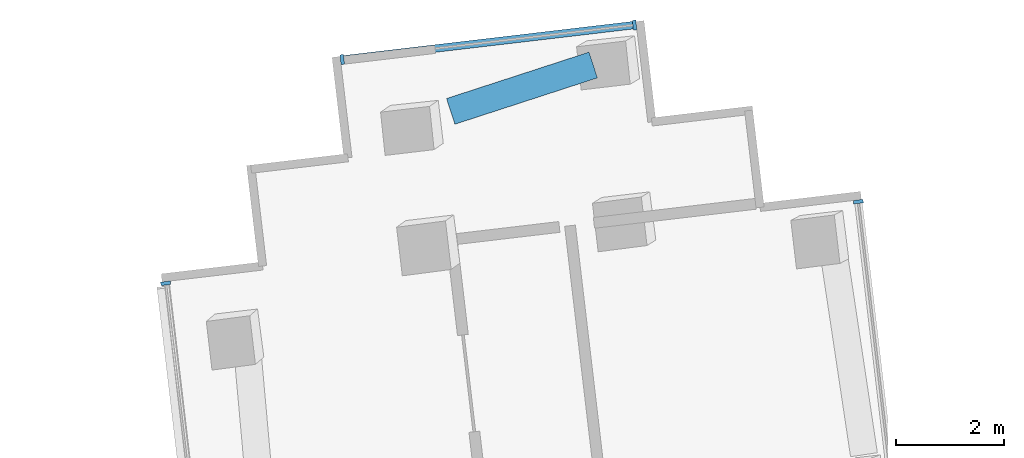
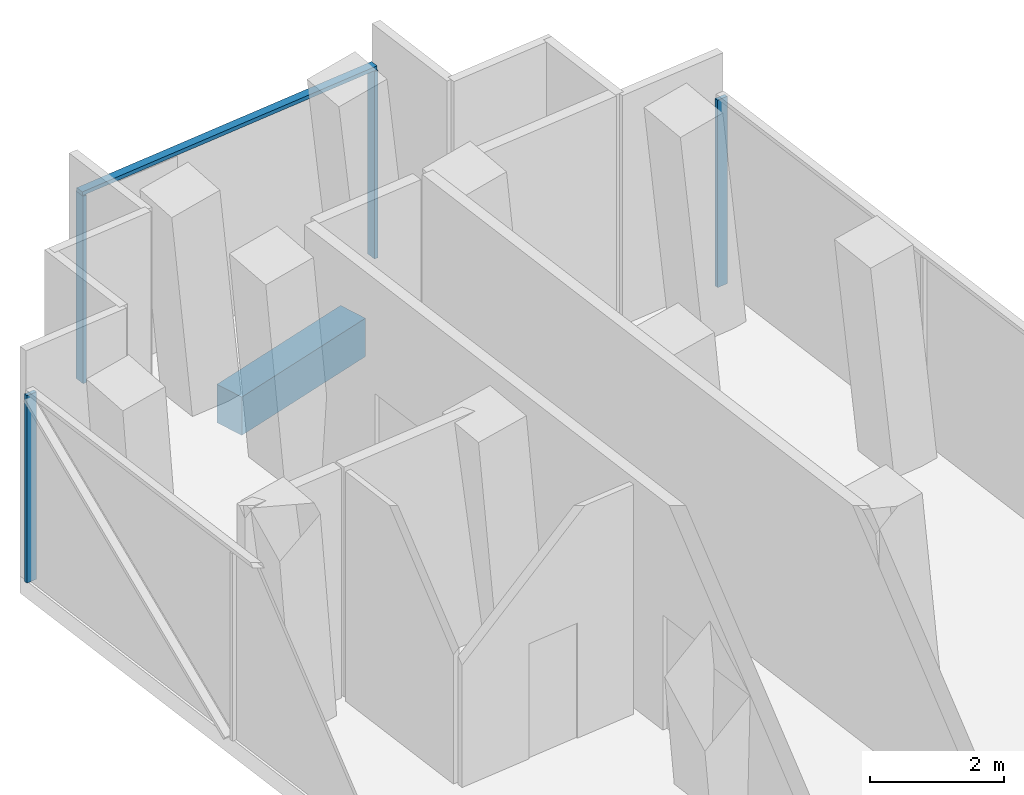
# One storey, part 9 of 17: 5 members, 1 beam, 3 elements without a shape of their own.
"""IFC4 building model written with IfcOpenShell, lengths in metres."""

from ifc_helpers import new_model, si_unit, direction, frame, origin, origin_2d, place, context, subcontext, project, spatial, rectangle, extrude, material, layer, layer_set, material_profile, profile_set, type_object, element, aggregate, save


model = new_model("IFC4")

# Units and contexts
model_context = context("Model", 3, precision=1e-05, world=origin(), true_north=direction((0.0, 1.0)))
body_context = subcontext(model_context, "Body", "Model", "MODEL_VIEW")
ifc_project = project(units=[si_unit("LENGTHUNIT", "METRE"), si_unit("AREAUNIT", "SQUARE_METRE"), si_unit("VOLUMEUNIT", "CUBIC_METRE"), si_unit("PLANEANGLEUNIT", "RADIAN"), si_unit("MASSUNIT", "GRAM", prefix="KILO")], contexts=[model_context])

# Site, building, storey
site_placement = place(None, origin())
site = spatial("IfcSite", under=ifc_project, at=site_placement, CompositionType="ELEMENT")
building_placement = place(site_placement, origin())
building = spatial("IfcBuilding", under=site, at=building_placement, Name="Verdalira Terraces Hotel", CompositionType="ELEMENT")
storey_placement = place(building_placement, frame((0.0, 0.0, 60.0)))
storey = spatial("IfcBuildingStorey", under=building, at=storey_placement, Name="L13", CompositionType="ELEMENT", Elevation=60.0)

# Curtain wall, member
ifc_material_1 = material(Name="Clear glass", Category="glass")
ifc_layer = layer(ifc_material_1, 0.179931640625)
ifc_layer_set = layer_set([ifc_layer], Name="CW4 curtain wall")
curtain_wall_type = type_object("IfcCurtainWallType", Name="CW4 curtain wall", PredefinedType="NOTDEFINED", material=ifc_layer_set)
curtain_wall_1_placement = place(storey_placement, origin())
curtain_wall_1 = element("IfcCurtainWall", 1, at=curtain_wall_1_placement, inside=storey, type_object=curtain_wall_type, Name="CW4 curtain wall L13 edge 0", PredefinedType="NOTDEFINED")
ifc_material_2 = material(Name="Terracotta frame", Category="masonry")
ifc_material_profile_1 = material_profile(ifc_material_2, rectangle(XDim=0.064941, YDim=0.179932, at=origin_2d()), Name="MU 65x180")
ifc_profile_set_1 = profile_set([ifc_material_profile_1], Name="Terracotta frame")
member_type_1 = type_object("IfcMemberType", Name="CW4 mullion 65x180", PredefinedType="MULLION", material=ifc_profile_set_1)
member_1_placement = place(storey_placement, frame((1.710205, 40.520508, 0.0), z_axis=(0.0, 0.0, 1.0), x_axis=(-0.117017412, 0.993129863, 0.0)))
member_1 = element("IfcMember", 2, at=member_1_placement, type_object=member_type_1, Name="CW4 mullion", PredefinedType="MULLION", context=body_context, shape_type="SweptSolid", body=[
    extrude(rectangle(XDim=0.064941, YDim=0.179932, at=origin_2d()), origin(), (0.0, 0.0, 1.0), 3.419922),
])
aggregate(curtain_wall_1, [member_1])

# Curtain wall, members
curtain_wall_2_placement = place(storey_placement, origin())
curtain_wall_2 = element("IfcCurtainWall", 3, at=curtain_wall_2_placement, inside=storey, type_object=curtain_wall_type, Name="CW4 curtain wall L13 edge 5", PredefinedType="NOTDEFINED")
member_2_placement = place(storey_placement, frame((-2.422363, 43.781738, 0.0), z_axis=(0.0, 0.0, 1.0), x_axis=(-0.993129863, -0.117017412, 0.0)))
member_2 = element("IfcMember", 4, at=member_2_placement, type_object=member_type_1, Name="CW4 mullion", PredefinedType="MULLION", context=body_context, shape_type="SweptSolid", body=[
    extrude(rectangle(XDim=0.064941, YDim=0.179932, at=origin_2d()), origin(), (0.0, 0.0, 1.0), 3.419922),
])
member_3_placement = place(storey_placement, frame((-7.820068, 43.145752, 0.0), z_axis=(0.0, 0.0, 1.0), x_axis=(-0.993129863, -0.117017412, 0.0)))
member_3 = element("IfcMember", 5, at=member_3_placement, type_object=member_type_1, Name="CW4 mullion", PredefinedType="MULLION", context=body_context, shape_type="SweptSolid", body=[
    extrude(rectangle(XDim=0.064941, YDim=0.179932, at=origin_2d()), origin(), (0.0, 0.0, 1.0), 3.419922),
])

# Curtain wall, member
curtain_wall_3_placement = place(storey_placement, origin())
curtain_wall_3 = element("IfcCurtainWall", 6, at=curtain_wall_3_placement, inside=storey, type_object=curtain_wall_type, Name="CW4 curtain wall L13 edge 10", PredefinedType="NOTDEFINED")
member_4_placement = place(storey_placement, frame((-11.081299, 39.013184, 0.0), z_axis=(0.0, 0.0, 1.0), x_axis=(0.117017412, -0.993129863, 0.0)))
member_4 = element("IfcMember", 7, at=member_4_placement, type_object=member_type_1, Name="CW4 mullion", PredefinedType="MULLION", context=body_context, shape_type="SweptSolid", body=[
    extrude(rectangle(XDim=0.064941, YDim=0.179932, at=origin_2d()), origin(), (0.0, 0.0, 1.0), 3.419922),
])
aggregate(curtain_wall_3, [member_4])

# Member
ifc_material_3 = material(Name="Terracotta frame", Category="masonry")
ifc_material_profile_2 = material_profile(ifc_material_3, rectangle(XDim=0.139893, YDim=0.070068, at=origin_2d()), Name="TR 70x140")
ifc_profile_set_2 = profile_set([ifc_material_profile_2], Name="Terracotta frame")
member_type_2 = type_object("IfcMemberType", Name="CW4 transom 70x140", PredefinedType="USERDEFINED", material=ifc_profile_set_2)
member_5_placement = place(storey_placement, frame((-2.390137, 43.785645, 3.455078), z_axis=(-0.993130592, -0.11701123, 0.0), x_axis=(0.11701123, -0.993130592, 0.0)))
member_5 = element("IfcMember", 8, at=member_5_placement, type_object=member_type_2, Name="CW4 transom", ObjectType="TRANSOM", PredefinedType="USERDEFINED", context=body_context, shape_type="SweptSolid", body=[
    extrude(rectangle(XDim=0.139893, YDim=0.070068, at=origin_2d()), origin(), (0.0, 0.0, 1.0), 5.5),
])

aggregate(curtain_wall_2, [member_2, member_3, member_5])

# Beam
ifc_material_4 = material(Name="Concrete C70", Category="concrete")
ifc_material_profile_3 = material_profile(ifc_material_4, rectangle(XDim=0.5, YDim=0.699951, at=origin_2d()), Name="RC 500X700")
ifc_profile_set_3 = profile_set([ifc_material_profile_3], Name="Concrete C70")
beam_type = type_object("IfcBeamType", Name="Spandrel beam RC 500X700 C70", PredefinedType="SPANDREL", material=ifc_profile_set_3)
beam_placement = place(storey_placement, frame((-3.186035, 43.043701, -0.659912), z_axis=(-0.950917933, -0.309443184, 0.0), x_axis=(0.309443184, -0.950917933, 0.0)))
element("IfcBeam", 9, at=beam_placement, inside=storey, type_object=beam_type, Name="Spandrel beam B04", PredefinedType="SPANDREL", context=body_context, shape_type="SweptSolid", body=[
    extrude(rectangle(XDim=0.5, YDim=0.699951, at=origin_2d()), origin(), (0.0, 0.0, 1.0), 2.766846),
])

save(model, "model.ifc")
